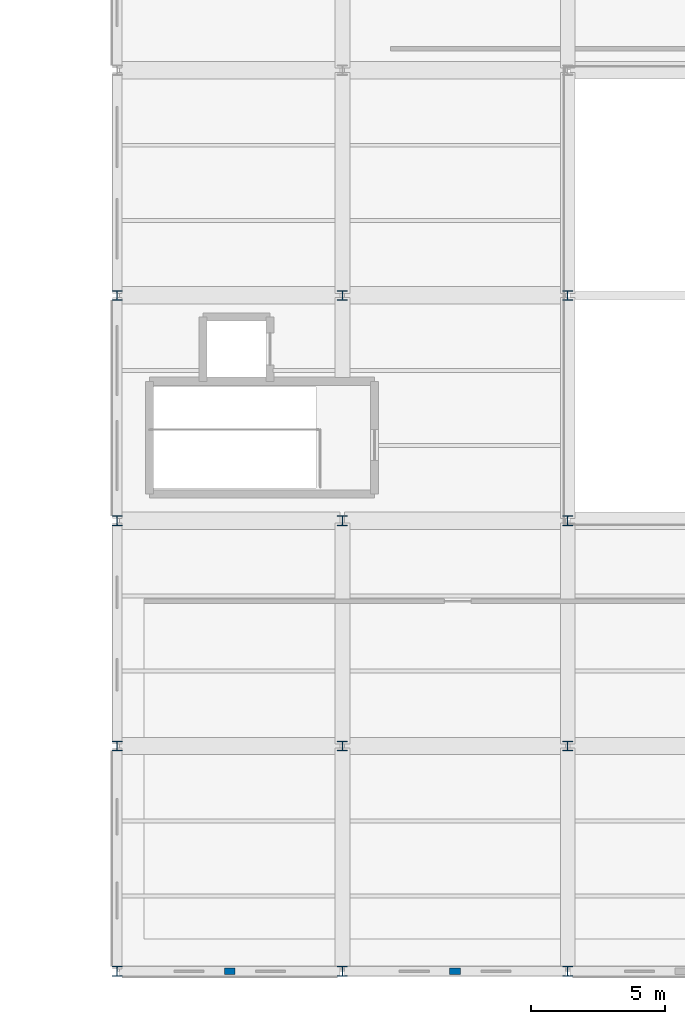
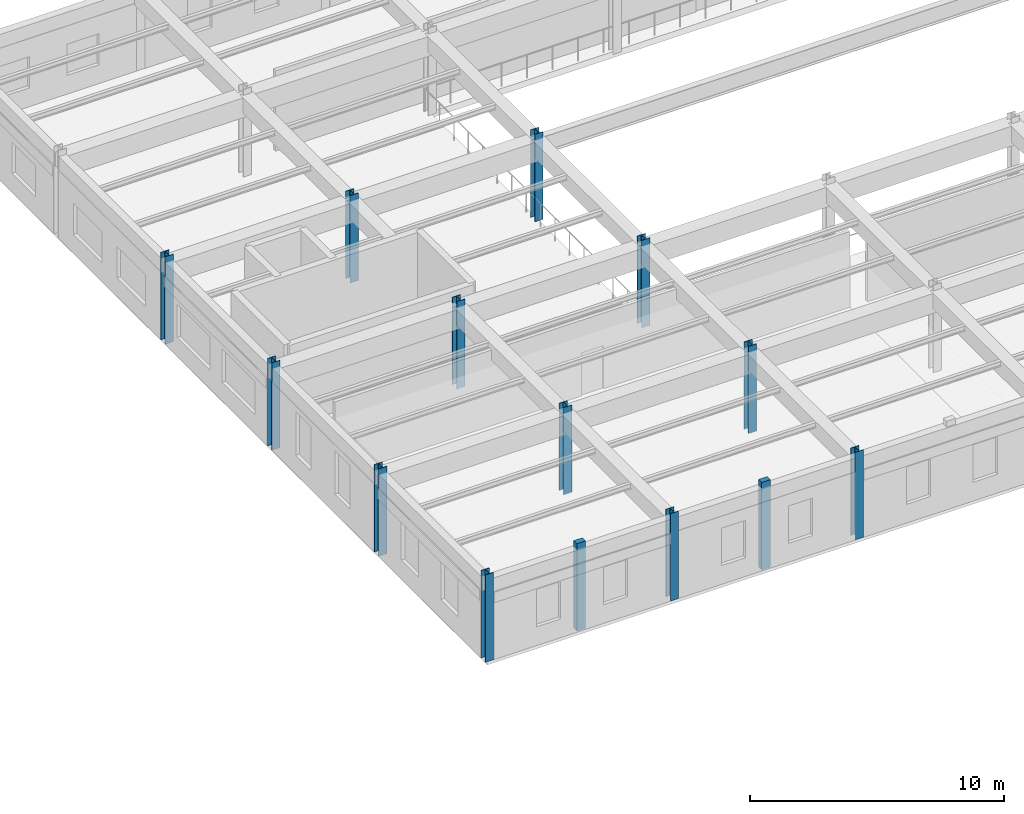
# One storey, part 2 of 138: 14 columns.
"""IFC4 building model written with IfcOpenShell, lengths in metres."""

from ifc_helpers import new_model, si_unit, direction, frame, origin, origin_2d, place, context, subcontext, project, spatial, rectangle, i_section, extrude, material, material_profile, profile_set, type_object, element, save


model = new_model("IFC4")

# Units and contexts
model_context = context("Model", 3, precision=1e-05, world=origin(), true_north=direction((0.0, 1.0)))
body_context = subcontext(model_context, "Body", "Model", "MODEL_VIEW")
ifc_project = project(units=[si_unit("LENGTHUNIT", "METRE"), si_unit("AREAUNIT", "SQUARE_METRE"), si_unit("VOLUMEUNIT", "CUBIC_METRE"), si_unit("PLANEANGLEUNIT", "RADIAN"), si_unit("MASSUNIT", "GRAM", prefix="KILO"), si_unit("THERMODYNAMICTEMPERATUREUNIT", "KELVIN"), si_unit("POWERUNIT", "WATT")], contexts=[model_context])

# Site, building, storey
site_placement = place(None, origin())
site = spatial("IfcSite", under=ifc_project, at=site_placement, CompositionType="ELEMENT")
building_placement = place(site_placement, origin())
building = spatial("IfcBuilding", under=site, at=building_placement, Name="Darbajah Civic Hall", CompositionType="ELEMENT")
storey_placement = place(building_placement, frame((0.0, 0.0, 9.60009765625)))
storey = spatial("IfcBuildingStorey", under=building, at=storey_placement, Name="L02", CompositionType="ELEMENT", Elevation=9.60009765625)

# Columns
ifc_material_1 = material(Name="Concrete C45/55", Category="concrete")
ifc_material_profile_1 = material_profile(ifc_material_1, rectangle(XDim=0.39990234375, YDim=0.25, at=origin_2d()), Name="PILASTER 400x250")
ifc_profile_set_1 = profile_set([ifc_material_profile_1], Name="Concrete C45/55")
column_type_1 = type_object("IfcColumnType", Name="PILASTER 400x250", PredefinedType="PILASTER", material=ifc_profile_set_1)
for number, where, z_axis, x_axis, name in (
    (1, (115.199951171875, 0.0, 0.0), (0.0, 0.0, 1.0), (1.0, 0.0, 0.0), "L02 column PL-400"),
    (2, (123.60009765625, 0.0, 0.0), (0.0, 0.0, 1.0), (1.0, 0.0, 0.0), "L02 column PL-400"),
):
    element("IfcColumn", number, at=place(storey_placement, frame(where, z_axis=z_axis, x_axis=x_axis)), inside=storey, type_object=column_type_1, Name=name, PredefinedType="PILASTER", context=body_context, shape_type="SweptSolid", body=[
        extrude(rectangle(XDim=0.39990234375, YDim=0.25, at=origin_2d()), origin(), (0.0, 0.0, 1.0), 4.199951171875),
    ])
ifc_material_2 = material(Name="Steel S355JR", Category="steel")
ifc_material_profile_2 = material_profile(ifc_material_2, i_section(OverallWidth=0.37255859375, OverallDepth=0.3681640625, WebThickness=0.014404296875, FlangeThickness=0.023681640625, FilletRadius=0.01513671875, at=origin_2d()), Name="UC 356x368x177")
ifc_profile_set_2 = profile_set([ifc_material_profile_2], Name="Steel S355JR")
column_type_2 = type_object("IfcColumnType", Name="UC 356x368x177", PredefinedType="COLUMN", material=ifc_profile_set_2)
for number, where, z_axis, x_axis, name in (
    (3, (111.0, 0.0, 0.0), (0.0, 0.0, 1.0), (1.0, 0.0, 0.0), "L02 column C-UC356"),
    (4, (111.0, 8.39990234375, 0.0), (0.0, 0.0, 1.0), (1.0, 0.0, 0.0), "L02 column C-UC356"),
    (5, (111.0, 16.800048828125, 0.0), (0.0, 0.0, 1.0), (1.0, 0.0, 0.0), "L02 column C-UC356"),
    (6, (111.0, 25.199951171875, 0.0), (0.0, 0.0, 1.0), (1.0, 0.0, 0.0), "L02 column C-UC356"),
    (7, (119.39990234375, 0.0, 0.0), (0.0, 0.0, 1.0), (1.0, 0.0, 0.0), "L02 column C-UC356"),
    (8, (119.39990234375, 8.39990234375, 0.0), (0.0, 0.0, 1.0), (1.0, 0.0, 0.0), "L02 column C-UC356"),
    (9, (119.39990234375, 16.800048828125, 0.0), (0.0, 0.0, 1.0), (1.0, 0.0, 0.0), "L02 column C-UC356"),
    (10, (119.39990234375, 25.199951171875, 0.0), (0.0, 0.0, 1.0), (1.0, 0.0, 0.0), "L02 column C-UC356"),
    (11, (127.800048828125, 0.0, 0.0), (0.0, 0.0, 1.0), (1.0, 0.0, 0.0), "L02 column C-UC356"),
    (12, (127.800048828125, 8.39990234375, 0.0), (0.0, 0.0, 1.0), (1.0, 0.0, 0.0), "L02 column C-UC356"),
    (13, (127.800048828125, 16.800048828125, 0.0), (0.0, 0.0, 1.0), (1.0, 0.0, 0.0), "L02 column C-UC356"),
    (14, (127.800048828125, 25.199951171875, 0.0), (0.0, 0.0, 1.0), (1.0, 0.0, 0.0), "L02 column C-UC356"),
):
    element("IfcColumn", number, at=place(storey_placement, frame(where, z_axis=z_axis, x_axis=x_axis)), inside=storey, type_object=column_type_2, Name=name, PredefinedType="COLUMN", context=body_context, shape_type="SweptSolid", body=[
        extrude(i_section(OverallWidth=0.37255859375, OverallDepth=0.3681640625, WebThickness=0.014404296875, FlangeThickness=0.023681640625, FilletRadius=0.01513671875, at=origin_2d()), origin(), (0.0, 0.0, 1.0), 4.199951171875),
    ])

save(model, "model.ifc")
